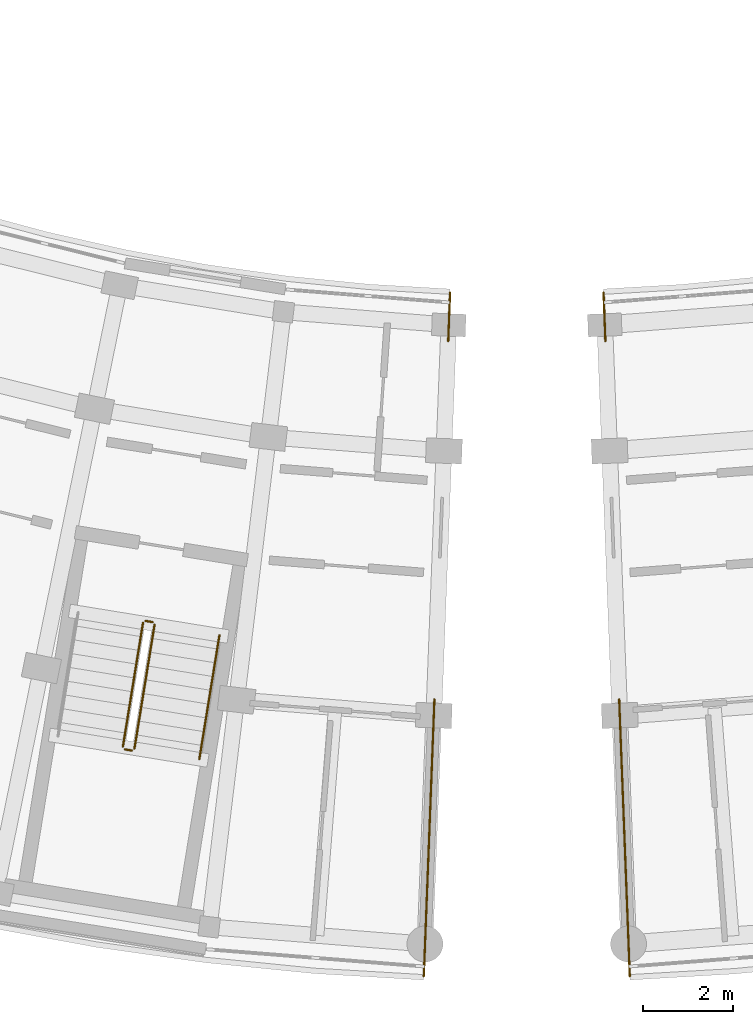
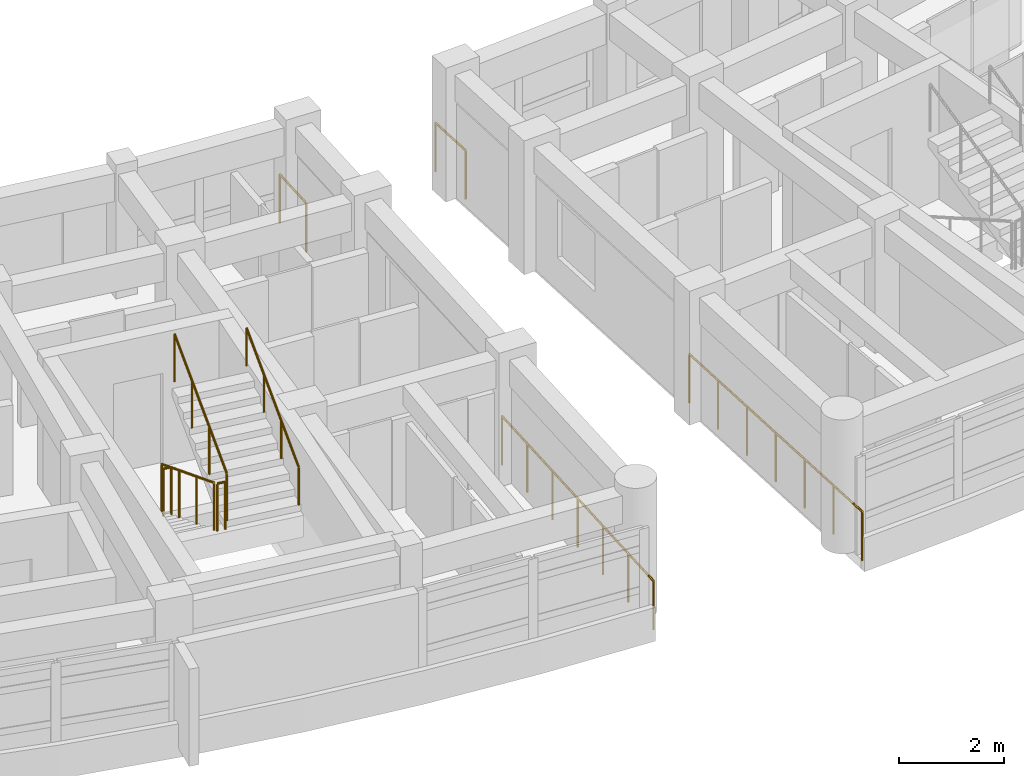
# One storey, part 49 of 56: 9 railings.
"""IFC4 building model written with IfcOpenShell, lengths in metres."""

from ifc_helpers import new_model, si_unit, direction, frame, origin, origin_2d, place, context, subcontext, project, spatial, circle, extrude, material, type_object, element, save


model = new_model("IFC4")

# Units and contexts
model_context = context("Model", 3, precision=1e-05, world=origin(), true_north=direction((0.0, 1.0)))
body_context = subcontext(model_context, "Body", "Model", "MODEL_VIEW")
ifc_project = project(units=[si_unit("LENGTHUNIT", "METRE"), si_unit("AREAUNIT", "SQUARE_METRE"), si_unit("VOLUMEUNIT", "CUBIC_METRE"), si_unit("PLANEANGLEUNIT", "RADIAN"), si_unit("MASSUNIT", "GRAM", prefix="KILO")], contexts=[model_context])

# Site, building, storey
site_placement = place(None, origin())
site = spatial("IfcSite", under=ifc_project, at=site_placement, CompositionType="ELEMENT")
building_placement = place(site_placement, origin())
building = spatial("IfcBuilding", under=site, at=building_placement, Name="Zimvara Arc Housing Community", CompositionType="ELEMENT")
storey_placement = place(building_placement, frame((0.0, 0.0, 17.39990234375)))
storey = spatial("IfcBuildingStorey", under=building, at=storey_placement, Name="L05", CompositionType="ELEMENT", Elevation=17.39990234375)

# Railings
ifc_material_1 = material(Name="Anodised Aluminium AW-6063", Category="aluminium")
railing_type_1 = type_object("IfcRailingType", Name="RLG-BAL-1120", PredefinedType="BALUSTRADE", material=ifc_material_1)
railing_1_placement = place(storey_placement, frame((117.455810546875, 58.15771484375, 0.155029296875)))
element("IfcRailing", 1, at=railing_1_placement, inside=storey, type_object=railing_type_1, Name="L05 ST-C2 stair guard 1", PredefinedType="BALUSTRADE", context=body_context, shape_type="SweptSolid", body=[
    extrude(circle(Radius=0.02392578125, at=origin_2d()), frame((0.0, 0.0, 1.09619140625), z_axis=(-0.14330919097, -0.882866015369, 0.447224859204), x_axis=(0.987080428045, -0.160225555297, 0.0)), (0.0, 0.0, 1.0), 3.119384765625),
    extrude(circle(Radius=0.02099609375, at=origin_2d()), origin(), (0.0, 0.0, 1.0), 1.072021484375),
    extrude(circle(Radius=0.02099609375, at=origin_2d()), frame((-0.14892578125, -0.91796875, 0.465087890625)), (0.0, 0.0, 1.0), 1.072021484375),
    extrude(circle(Radius=0.02099609375, at=origin_2d()), frame((-0.298095703125, -1.8359375, 0.929931640625)), (0.0, 0.0, 1.0), 1.072021484375),
    extrude(circle(Radius=0.02099609375, at=origin_2d()), frame((-0.447021484375, -2.75390625, 1.39501953125)), (0.0, 0.0, 1.0), 1.072021484375),
])
railing_2_placement = place(storey_placement, frame((117.050048828125, 55.346435546875, 1.550048828125)))
element("IfcRailing", 2, at=railing_2_placement, inside=storey, type_object=railing_type_1, Name="L05 ST-C2 stair guard 2", PredefinedType="BALUSTRADE", context=body_context, shape_type="SweptSolid", body=[
    extrude(circle(Radius=0.02392578125, at=origin_2d()), frame((0.0, 0.0, 1.09619140625), z_axis=(0.987085924886, -0.160191687964, 0.0), x_axis=(0.160191687964, 0.987085924886, 0.0)), (0.0, 0.0, 1.0), 0.159912109375),
    extrude(circle(Radius=0.02099609375, at=origin_2d()), origin(), (0.0, 0.0, 1.0), 1.072021484375),
    extrude(circle(Radius=0.02099609375, at=origin_2d()), frame((0.157958984375, -0.025634765625, 0.0)), (0.0, 0.0, 1.0), 1.072021484375),
])
railing_3_placement = place(storey_placement, frame((117.265380859375, 55.3623046875, 1.705078125)))
element("IfcRailing", 3, at=railing_3_placement, inside=storey, type_object=railing_type_1, Name="L05 ST-C2 stair guard 3", PredefinedType="BALUSTRADE", context=body_context, shape_type="SweptSolid", body=[
    extrude(circle(Radius=0.02392578125, at=origin_2d()), frame((0.0, 0.0, 1.09619140625), z_axis=(0.14330919097, 0.882866015369, 0.447224859204), x_axis=(-0.987080428045, 0.160225555297, 0.0)), (0.0, 0.0, 1.0), 3.119384765625),
    extrude(circle(Radius=0.02099609375, at=origin_2d()), origin(), (0.0, 0.0, 1.0), 1.072021484375),
    extrude(circle(Radius=0.02099609375, at=origin_2d()), frame((0.14892578125, 0.91796875, 0.465087890625)), (0.0, 0.0, 1.0), 1.072021484375),
    extrude(circle(Radius=0.02099609375, at=origin_2d()), frame((0.298095703125, 1.8359375, 0.929931640625)), (0.0, 0.0, 1.0), 1.072021484375),
    extrude(circle(Radius=0.02099609375, at=origin_2d()), frame((0.447021484375, 2.75390625, 1.39501953125)), (0.0, 0.0, 1.0), 1.072021484375),
])
railing_4_placement = place(storey_placement, frame((117.51318359375, 58.19921875, 0.0)))
element("IfcRailing", 4, at=railing_4_placement, inside=storey, type_object=railing_type_1, Name="L05 ST-C2 stair guard 4", PredefinedType="BALUSTRADE", context=body_context, shape_type="SweptSolid", body=[
    extrude(circle(Radius=0.02392578125, at=origin_2d()), frame((0.0, 0.0, 1.09619140625), z_axis=(0.987085924886, -0.160191687964, 0.0), x_axis=(0.160191687964, 0.987085924886, 0.0)), (0.0, 0.0, 1.0), 0.159912109375),
    extrude(circle(Radius=0.02099609375, at=origin_2d()), origin(), (0.0, 0.0, 1.0), 1.072021484375),
    extrude(circle(Radius=0.02099609375, at=origin_2d()), frame((0.157958984375, -0.025634765625, 0.0)), (0.0, 0.0, 1.0), 1.072021484375),
])
ifc_material_2 = material(Name="Anodised Aluminium AW-6063", Category="aluminium")
railing_type_2 = type_object("IfcRailingType", Name="RLG-BAL-1150", PredefinedType="BALUSTRADE", material=ifc_material_2)
railing_5_placement = place(storey_placement, frame((124.275634765625, 65.49267578125, 0.0)))
element("IfcRailing", 5, at=railing_5_placement, inside=storey, type_object=railing_type_2, Name="rlg:blkC:L05:gable_in:gN", PredefinedType="BALUSTRADE", context=body_context, shape_type="SweptSolid", body=[
    extrude(circle(Radius=0.02392578125, at=origin_2d()), frame((0.0, 0.0, 1.1259765625), z_axis=(-0.038433122101, -0.999261174631, 0.0), x_axis=(0.999261174631, -0.038433122101, 0.0)), (0.0, 0.0, 1.0), 1.079833984375),
    extrude(circle(Radius=0.02099609375, at=origin_2d()), origin(), (0.0, 0.0, 1.0), 1.101806640625),
    extrude(circle(Radius=0.02099609375, at=origin_2d()), frame((-0.04150390625, -1.0791015625, 0.0)), (0.0, 0.0, 1.0), 1.101806640625),
])
railing_6_placement = place(storey_placement, frame((123.928466796875, 56.45947265625, 0.0)))
element("IfcRailing", 6, at=railing_6_placement, inside=storey, type_object=railing_type_2, Name="rlg:blkC:L05:gable_out:gN", PredefinedType="BALUSTRADE", context=body_context, shape_type="SweptSolid", body=[
    extrude(circle(Radius=0.02392578125, at=origin_2d()), frame((0.0, 0.0, 1.1259765625), z_axis=(-0.038364627964, -0.99926380667, 0.0), x_axis=(0.99926380667, -0.038364627964, 0.0)), (0.0, 0.0, 1.0), 6.16015625),
    extrude(circle(Radius=0.02099609375, at=origin_2d()), origin(), (0.0, 0.0, 1.0), 1.101806640625),
    extrude(circle(Radius=0.02099609375, at=origin_2d()), frame((-0.039306640625, -1.02587890625, 0.0)), (0.0, 0.0, 1.0), 1.101806640625),
    extrude(circle(Radius=0.02099609375, at=origin_2d()), frame((-0.078857421875, -2.0517578125, 0.0)), (0.0, 0.0, 1.0), 1.101806640625),
    extrude(circle(Radius=0.02099609375, at=origin_2d()), frame((-0.1181640625, -3.07763671875, 0.0)), (0.0, 0.0, 1.0), 1.101806640625),
    extrude(circle(Radius=0.02099609375, at=origin_2d()), frame((-0.157470703125, -4.103759765625, 0.0)), (0.0, 0.0, 1.0), 1.101806640625),
    extrude(circle(Radius=0.02099609375, at=origin_2d()), frame((-0.197021484375, -5.129638671875, 0.0)), (0.0, 0.0, 1.0), 1.101806640625),
    extrude(circle(Radius=0.02099609375, at=origin_2d()), frame((-0.236328125, -6.155517578125, 0.0)), (0.0, 0.0, 1.0), 1.101806640625),
])
railing_7_placement = place(storey_placement, frame((127.684326171875, 65.49267578125, 0.0)))
element("IfcRailing", 7, at=railing_7_placement, inside=storey, type_object=railing_type_2, Name="rlg:blkD:L05:gable_in:g0", PredefinedType="BALUSTRADE", context=body_context, shape_type="SweptSolid", body=[
    extrude(circle(Radius=0.02392578125, at=origin_2d()), frame((0.0, 0.0, 1.1259765625), z_axis=(0.038433122101, -0.999261174631, 0.0), x_axis=(0.999261174631, 0.038433122101, 0.0)), (0.0, 0.0, 1.0), 1.079833984375),
    extrude(circle(Radius=0.02099609375, at=origin_2d()), origin(), (0.0, 0.0, 1.0), 1.101806640625),
    extrude(circle(Radius=0.02099609375, at=origin_2d()), frame((0.04150390625, -1.0791015625, 0.0)), (0.0, 0.0, 1.0), 1.101806640625),
])
railing_8_placement = place(storey_placement, frame((128.031494140625, 56.45947265625, 0.0)))
element("IfcRailing", 8, at=railing_8_placement, inside=storey, type_object=railing_type_2, Name="rlg:blkD:L05:gable_out:g0", PredefinedType="BALUSTRADE", context=body_context, shape_type="SweptSolid", body=[
    extrude(circle(Radius=0.02392578125, at=origin_2d()), frame((0.0, 0.0, 1.1259765625), z_axis=(0.038364627964, -0.99926380667, 0.0), x_axis=(0.99926380667, 0.038364627964, 0.0)), (0.0, 0.0, 1.0), 6.16015625),
    extrude(circle(Radius=0.02099609375, at=origin_2d()), origin(), (0.0, 0.0, 1.0), 1.101806640625),
    extrude(circle(Radius=0.02099609375, at=origin_2d()), frame((0.039306640625, -1.02587890625, 0.0)), (0.0, 0.0, 1.0), 1.101806640625),
    extrude(circle(Radius=0.02099609375, at=origin_2d()), frame((0.078857421875, -2.0517578125, 0.0)), (0.0, 0.0, 1.0), 1.101806640625),
    extrude(circle(Radius=0.02099609375, at=origin_2d()), frame((0.1181640625, -3.07763671875, 0.0)), (0.0, 0.0, 1.0), 1.101806640625),
    extrude(circle(Radius=0.02099609375, at=origin_2d()), frame((0.157470703125, -4.103759765625, 0.0)), (0.0, 0.0, 1.0), 1.101806640625),
    extrude(circle(Radius=0.02099609375, at=origin_2d()), frame((0.197021484375, -5.129638671875, 0.0)), (0.0, 0.0, 1.0), 1.101806640625),
    extrude(circle(Radius=0.02099609375, at=origin_2d()), frame((0.236328125, -6.155517578125, 0.0)), (0.0, 0.0, 1.0), 1.101806640625),
])
ifc_material_3 = material(Name="Anodised Aluminium AW-6063", Category="aluminium")
railing_type_3 = type_object("IfcRailingType", Name="RLG-HND-900", PredefinedType="HANDRAIL", material=ifc_material_3)
railing_9_placement = place(storey_placement, frame((118.70654296875, 55.128173828125, 1.705078125)))
element("IfcRailing", 9, at=railing_9_placement, inside=storey, type_object=railing_type_3, Name="L05 ST-C2 stair handrail 2", PredefinedType="HANDRAIL", context=body_context, shape_type="SweptSolid", body=[
    extrude(circle(Radius=0.02392578125, at=origin_2d()), frame((0.0, 0.0, 0.8759765625), z_axis=(0.143299288836, 0.882883275458, 0.447193957625), x_axis=(-0.987082674257, 0.160211716742, 0.0)), (0.0, 0.0, 1.0), 3.119384765625),
    extrude(circle(Radius=0.02099609375, at=origin_2d()), origin(), (0.0, 0.0, 1.0), 0.851806640625),
    extrude(circle(Radius=0.02099609375, at=origin_2d()), frame((0.14892578125, 0.91796875, 0.465087890625)), (0.0, 0.0, 1.0), 0.851806640625),
    extrude(circle(Radius=0.02099609375, at=origin_2d()), frame((0.298095703125, 1.836181640625, 0.929931640625)), (0.0, 0.0, 1.0), 0.851806640625),
    extrude(circle(Radius=0.02099609375, at=origin_2d()), frame((0.447021484375, 2.754150390625, 1.39501953125)), (0.0, 0.0, 1.0), 0.851806640625),
])

save(model, "model.ifc")
